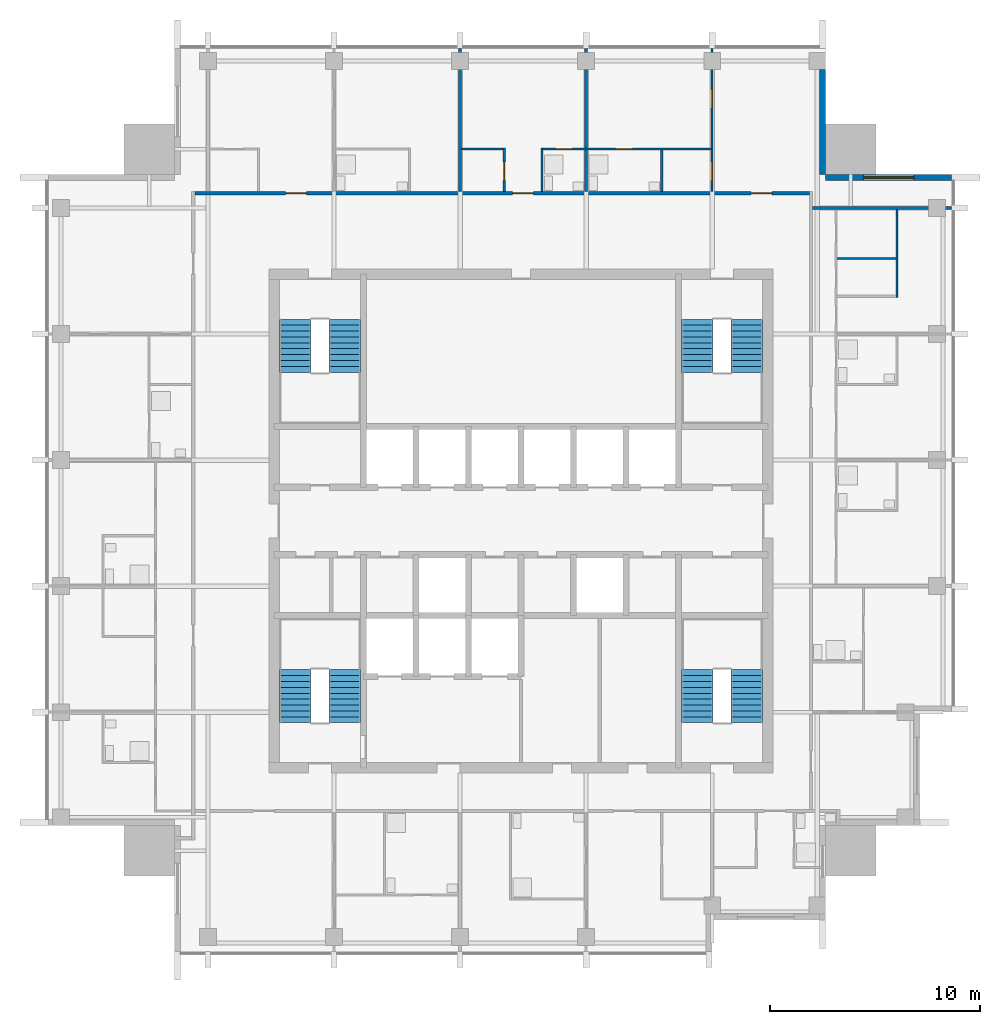
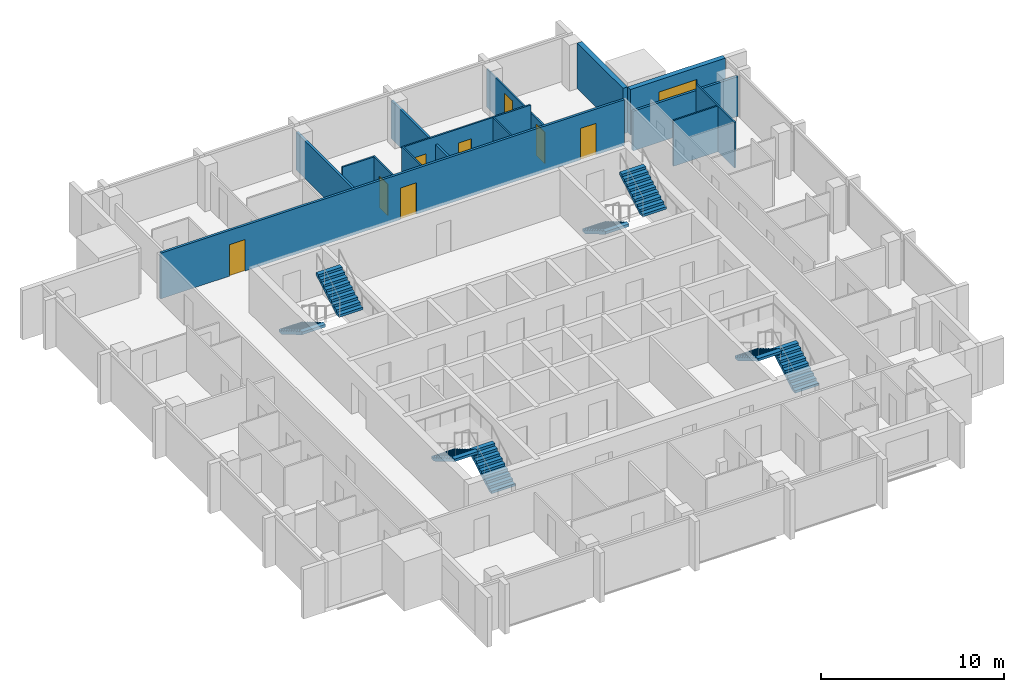
# One storey, part 7 of 9: 14 walls, 8 doors, 8 stair flights, 1 window, 9 openings, 4 elements without a shape of their own.
"""IFC4 building model written with IfcOpenShell, lengths in metres."""

from ifc_helpers import new_model, si_unit, direction, frame, frame_2d, origin, place, context, subcontext, project, spatial, polyline, rectangle, outline, extrude, material, layer, layer_set, type_object, element, fill, aggregate, save


model = new_model("IFC4")

# Units and contexts
model_context = context("Model", 3, precision=1e-05, world=origin(), true_north=direction((0.0, 1.0)))
body_context = subcontext(model_context, "Body", "Model", "MODEL_VIEW")
ifc_project = project(units=[si_unit("LENGTHUNIT", "METRE"), si_unit("AREAUNIT", "SQUARE_METRE"), si_unit("VOLUMEUNIT", "CUBIC_METRE"), si_unit("PLANEANGLEUNIT", "RADIAN"), si_unit("MASSUNIT", "GRAM", prefix="KILO")], contexts=[model_context])

# Site, building, storey
site_placement = place(None, origin())
site = spatial("IfcSite", under=ifc_project, at=site_placement, CompositionType="ELEMENT")
building_placement = place(site_placement, origin())
building = spatial("IfcBuilding", under=site, at=building_placement, Name="Amberfall Residences", CompositionType="ELEMENT")
storey_placement = place(building_placement, frame((0.0, 0.0, 265.300048828125)))
storey = spatial("IfcBuildingStorey", under=building, at=storey_placement, Name="L71", CompositionType="ELEMENT", Elevation=265.300048828125)

# Wall, opening, window
ifc_material_1 = material(Name="Pale stone cladding on insulated backing", Category="masonry")
ifc_layer_1 = layer(ifc_material_1, 0.300048828125)
ifc_layer_set_1 = layer_set([ifc_layer_1], Name="Bronze clad wall 300")
wall_type_1 = type_object("IfcWallType", Name="Bronze clad wall 300", PredefinedType="SOLIDWALL", material=ifc_layer_set_1)
wall_1_placement = place(storey_placement, frame((95.0, 61.85009765625, 0.0), z_axis=(0.0, 0.0, 1.0), x_axis=(-1.0, 0.0, 0.0)))
wall_1 = element("IfcWall", 1, at=wall_1_placement, inside=storey, type_object=wall_type_1, Name="External wall L71 NE", PredefinedType="SOLIDWALL", context=body_context, shape_type="SweptSolid", body=[
    extrude(rectangle(XDim=6.0, YDim=0.300048828125, at=frame_2d((3.0, 0.0))), origin(), (0.0, 0.0, 1.0), 3.050048828125),
])
opening_1_placement = place(wall_1_placement, frame((1.800048828125, 0.0, 0.14990234375)))
opening_1 = element("IfcOpeningElement", 2, at=opening_1_placement, cuts=wall_1, Name="Opening WN5", PredefinedType="OPENING", context=body_context, shape_type="SweptSolid", body=[
    extrude(rectangle(XDim=2.39990234375, YDim=2.10009765625, at=frame_2d((1.199951171875, 1.050048828125))), frame((0.0, 0.159912109375, 0.0), z_axis=(0.0, -1.0, 0.0), x_axis=(1.0, 0.0, 0.0)), (0.0, 0.0, 1.0), 0.320068359375),
])
ifc_material_2 = material(Name="Bronze aluminium framed glazing", Category="aluminium")
window_type = type_object("IfcWindowType", Name="Glazed opening 2400 x 2100 bronze", PartitioningType="DOUBLE_PANEL_VERTICAL", PredefinedType="WINDOW", material=ifc_material_2)
window_placement = place(opening_1_placement, origin())
window = element("IfcWindow", 3, at=window_placement, inside=storey, type_object=window_type, Name="Window L71 NE", OverallHeight=2.10009765625, OverallWidth=2.39990234375, PartitioningType="DOUBLE_PANEL_VERTICAL", PredefinedType="WINDOW", context=body_context, shape_type="SweptSolid", body=[
    extrude(rectangle(XDim=2.39990234375, YDim=2.10009765625, at=frame_2d((1.199951171875, 1.050048828125))), frame((0.0, 0.030029296875, 0.0), z_axis=(0.0, -1.0, 0.0), x_axis=(1.0, 0.0, 0.0)), (0.0, 0.0, 1.0), 0.06005859375),
])
fill(opening_1, window)

# Wall
wall_2_placement = place(storey_placement, frame((88.85009765625, 62.0, 0.0), z_axis=(0.0, 0.0, 1.0), x_axis=(0.0, 1.0, 0.0)))
element("IfcWall", 4, at=wall_2_placement, inside=storey, type_object=wall_type_1, Name="External wall L71 NE", PredefinedType="SOLIDWALL", context=body_context, shape_type="SweptSolid", body=[
    extrude(rectangle(XDim=5.0, YDim=0.300048828125, at=frame_2d((2.5, 0.0))), origin(), (0.0, 0.0, 1.0), 3.050048828125),
])

# Wall, opening, door
ifc_material_3 = material(Name="Gypsum board on metal stud")
ifc_layer_2 = layer(ifc_material_3, 0.10009765625)
ifc_layer_set_2 = layer_set([ifc_layer_2], Name="Flat partition 100")
wall_type_2 = type_object("IfcWallType", Name="Flat partition 100", PredefinedType="PARTITIONING", material=ifc_layer_set_2)
wall_3_placement = place(storey_placement, frame((73.699951171875, 61.175048828125, 0.0), z_axis=(0.0, 0.0, 1.0), x_axis=(0.0, 1.0, 0.0)))
wall_3 = element("IfcWall", 5, at=wall_3_placement, inside=storey, type_object=wall_type_2, Name="Partition 010", PredefinedType="PARTITIONING", context=body_context, shape_type="SweptSolid", body=[
    extrude(rectangle(XDim=2.074951171875, YDim=0.10009765625, at=frame_2d((1.03759765625, 0.0))), origin(), (0.0, 0.0, 1.0), 3.050048828125),
])
opening_2_placement = place(wall_3_placement, frame((0.52490234375, 0.0, 0.0)))
opening_2 = element("IfcOpeningElement", 6, at=opening_2_placement, cuts=wall_3, Name="Opening D41", PredefinedType="OPENING", context=body_context, shape_type="SweptSolid", body=[
    extrude(rectangle(XDim=0.89990234375, YDim=2.10009765625, at=frame_2d((0.449951171875, 1.050048828125))), frame((0.0, 0.06005859375, 0.0), z_axis=(0.0, -1.0, 0.0), x_axis=(1.0, 0.0, 0.0)), (0.0, 0.0, 1.0), 0.1201171875),
])
ifc_material_4 = material(Name="Timber", Category="wood")
door_type_1 = type_object("IfcDoorType", Name="Internal door 900 x 2100", OperationType="SINGLE_SWING_LEFT", PredefinedType="DOOR", material=ifc_material_4)
door_1_placement = place(opening_2_placement, origin())
door_1 = element("IfcDoor", 7, at=door_1_placement, inside=storey, type_object=door_type_1, Name="Door 7107 kitchen", OperationType="SINGLE_SWING_LEFT", OverallHeight=2.10009765625, OverallWidth=0.89990234375, PredefinedType="DOOR", context=body_context, shape_type="SweptSolid", body=[
    extrude(rectangle(XDim=0.89990234375, YDim=2.10009765625, at=frame_2d((0.449951171875, 1.050048828125))), frame((0.0, 0.02490234375, 0.0), z_axis=(0.0, -1.0, 0.0), x_axis=(1.0, 0.0, 0.0)), (0.0, 0.0, 1.0), 0.050048828125),
])
fill(opening_2, door_1)

# Walls
wall_4_placement = place(storey_placement, frame((75.5, 61.175048828125, 0.0), z_axis=(0.0, 0.0, 1.0), x_axis=(0.0, 1.0, 0.0)))
element("IfcWall", 8, at=wall_4_placement, inside=storey, type_object=wall_type_2, Name="Partition 012", PredefinedType="PARTITIONING", context=body_context, shape_type="SweptSolid", body=[
    extrude(rectangle(XDim=2.074951171875, YDim=0.10009765625, at=frame_2d((1.03759765625, 0.0))), origin(), (0.0, 0.0, 1.0), 3.050048828125),
])
wall_5_placement = place(storey_placement, frame((81.199951171875, 61.175048828125, 0.0), z_axis=(0.0, 0.0, 1.0), x_axis=(0.0, 1.0, 0.0)))
element("IfcWall", 9, at=wall_5_placement, inside=storey, type_object=wall_type_2, Name="Partition 015", PredefinedType="PARTITIONING", context=body_context, shape_type="SweptSolid", body=[
    extrude(rectangle(XDim=1.974853515625, YDim=0.10009765625, at=frame_2d((0.9873046875, 0.0))), origin(), (0.0, 0.0, 1.0), 3.050048828125),
])

# Wall, openings, doors
wall_6_placement = place(storey_placement, frame((83.60009765625, 61.175048828125, 0.0), z_axis=(0.0, 0.0, 1.0), x_axis=(0.0, 1.0, 0.0)))
wall_6 = element("IfcWall", 10, at=wall_6_placement, inside=storey, type_object=wall_type_2, Name="Partition 016", PredefinedType="PARTITIONING", context=body_context, shape_type="SweptSolid", body=[
    extrude(rectangle(XDim=6.824951171875, YDim=0.10009765625, at=frame_2d((3.41259765625, 0.0))), origin(), (0.0, 0.0, 1.0), 2.515869140625),
])
opening_3_placement = place(wall_6_placement, frame((0.52490234375, 0.0, 0.0)))
opening_3 = element("IfcOpeningElement", 11, at=opening_3_placement, cuts=wall_6, Name="Opening D41", PredefinedType="OPENING", context=body_context, shape_type="SweptSolid", body=[
    extrude(rectangle(XDim=0.89990234375, YDim=2.10009765625, at=frame_2d((0.449951171875, 1.050048828125))), frame((0.0, 0.06005859375, 0.0), z_axis=(0.0, -1.0, 0.0), x_axis=(1.0, 0.0, 0.0)), (0.0, 0.0, 1.0), 0.1201171875),
])
opening_4_placement = place(wall_6_placement, frame((3.97509765625, 0.0, 0.0)))
opening_4 = element("IfcOpeningElement", 12, at=opening_4_placement, cuts=wall_6, Name="Opening D41", PredefinedType="OPENING", context=body_context, shape_type="SweptSolid", body=[
    extrude(rectangle(XDim=0.89990234375, YDim=2.10009765625, at=frame_2d((0.449951171875, 1.050048828125))), frame((0.0, 0.06005859375, 0.0), z_axis=(0.0, -1.0, 0.0), x_axis=(1.0, 0.0, 0.0)), (0.0, 0.0, 1.0), 0.1201171875),
])
door_2_placement = place(opening_3_placement, origin())
door_2 = element("IfcDoor", 13, at=door_2_placement, inside=storey, type_object=door_type_1, Name="Door 7108 kitchen", OperationType="SINGLE_SWING_LEFT", OverallHeight=2.10009765625, OverallWidth=0.89990234375, PredefinedType="DOOR", context=body_context, shape_type="SweptSolid", body=[
    extrude(rectangle(XDim=0.89990234375, YDim=2.10009765625, at=frame_2d((0.449951171875, 1.050048828125))), frame((0.0, 0.02490234375, 0.0), z_axis=(0.0, -1.0, 0.0), x_axis=(1.0, 0.0, 0.0)), (0.0, 0.0, 1.0), 0.050048828125),
])
fill(opening_3, door_2)
door_3_placement = place(opening_4_placement, origin())
door_3 = element("IfcDoor", 14, at=door_3_placement, inside=storey, type_object=door_type_1, Name="Door 7108 bedroom1", OperationType="SINGLE_SWING_LEFT", OverallHeight=2.10009765625, OverallWidth=0.89990234375, PredefinedType="DOOR", context=body_context, shape_type="SweptSolid", body=[
    extrude(rectangle(XDim=0.89990234375, YDim=2.10009765625, at=frame_2d((0.449951171875, 1.050048828125))), frame((0.0, 0.02490234375, 0.0), z_axis=(0.0, -1.0, 0.0), x_axis=(1.0, 0.0, 0.0)), (0.0, 0.0, 1.0), 0.050048828125),
])
fill(opening_4, door_3)

# Walls
wall_7_placement = place(storey_placement, frame((92.39990234375, 56.14990234375, 0.0), z_axis=(0.0, 0.0, 1.0), x_axis=(0.0, 1.0, 0.0)))
element("IfcWall", 15, at=wall_7_placement, inside=storey, type_object=wall_type_2, Name="Partition 023", PredefinedType="PARTITIONING", context=body_context, shape_type="SweptSolid", body=[
    extrude(rectangle(XDim=4.175048828125, YDim=0.10009765625, at=frame_2d((2.08740234375, 0.0))), origin(), (0.0, 0.0, 1.0), 3.050048828125),
])
wall_8_placement = place(storey_placement, frame((71.675048828125, 63.199951171875, 0.0), z_axis=(0.0, 0.0, 1.0), x_axis=(1.0, 0.0, 0.0)))
element("IfcWall", 16, at=wall_8_placement, inside=storey, type_object=wall_type_2, Name="Partition 026", PredefinedType="PARTITIONING", context=body_context, shape_type="SweptSolid", body=[
    extrude(rectangle(XDim=1.974853515625, YDim=0.10009765625, at=frame_2d((0.9873046875, 0.0))), origin(), (0.0, 0.0, 1.0), 3.050048828125),
])

# Wall, openings, doors
wall_9_placement = place(storey_placement, frame((83.550048828125, 63.199951171875, 0.0), z_axis=(0.0, 0.0, 1.0), x_axis=(-1.0, 0.0, 0.0)))
wall_9 = element("IfcWall", 17, at=wall_9_placement, inside=storey, type_object=wall_type_2, Name="Partition 027", PredefinedType="PARTITIONING", context=body_context, shape_type="SweptSolid", body=[
    extrude(rectangle(XDim=8.0, YDim=0.10009765625, at=frame_2d((4.0, 0.0))), origin(), (0.0, 0.0, 1.0), 3.050048828125),
])
opening_5_placement = place(wall_9_placement, frame((6.60009765625, 0.0, 0.0)))
opening_5 = element("IfcOpeningElement", 18, at=opening_5_placement, cuts=wall_9, Name="Opening D42", PredefinedType="OPENING", context=body_context, shape_type="SweptSolid", body=[
    extrude(rectangle(XDim=0.800048828125, YDim=2.10009765625, at=frame_2d((0.39990234375, 1.050048828125))), frame((0.0, 0.06005859375, 0.0), z_axis=(0.0, -1.0, 0.0), x_axis=(1.0, 0.0, 0.0)), (0.0, 0.0, 1.0), 0.1201171875),
])
opening_6_placement = place(wall_9_placement, frame((3.75, 0.0, 0.0)))
opening_6 = element("IfcOpeningElement", 19, at=opening_6_placement, cuts=wall_9, Name="Opening D42", PredefinedType="OPENING", context=body_context, shape_type="SweptSolid", body=[
    extrude(rectangle(XDim=0.800048828125, YDim=2.10009765625, at=frame_2d((0.39990234375, 1.050048828125))), frame((0.0, 0.06005859375, 0.0), z_axis=(0.0, -1.0, 0.0), x_axis=(1.0, 0.0, 0.0)), (0.0, 0.0, 1.0), 0.1201171875),
])
door_type_2 = type_object("IfcDoorType", Name="Bathroom door 800 x 2100", OperationType="SINGLE_SWING_LEFT", PredefinedType="DOOR", material=ifc_material_4)
door_4_placement = place(opening_5_placement, origin())
door_4 = element("IfcDoor", 20, at=door_4_placement, inside=storey, type_object=door_type_2, Name="Door 7107 bath1", OperationType="SINGLE_SWING_LEFT", OverallHeight=2.10009765625, OverallWidth=0.800048828125, PredefinedType="DOOR", context=body_context, shape_type="SweptSolid", body=[
    extrude(rectangle(XDim=0.800048828125, YDim=2.10009765625, at=frame_2d((0.39990234375, 1.050048828125))), frame((0.0, 0.02490234375, 0.0), z_axis=(0.0, -1.0, 0.0), x_axis=(1.0, 0.0, 0.0)), (0.0, 0.0, 1.0), 0.050048828125),
])
fill(opening_5, door_4)
door_5_placement = place(opening_6_placement, origin())
door_5 = element("IfcDoor", 21, at=door_5_placement, inside=storey, type_object=door_type_2, Name="Door 7108 bath1", OperationType="SINGLE_SWING_LEFT", OverallHeight=2.10009765625, OverallWidth=0.800048828125, PredefinedType="DOOR", context=body_context, shape_type="SweptSolid", body=[
    extrude(rectangle(XDim=0.800048828125, YDim=2.10009765625, at=frame_2d((0.39990234375, 1.050048828125))), frame((0.0, 0.02490234375, 0.0), z_axis=(0.0, -1.0, 0.0), x_axis=(1.0, 0.0, 0.0)), (0.0, 0.0, 1.0), 0.050048828125),
])
fill(opening_6, door_5)

# Walls
wall_10_placement = place(storey_placement, frame((89.550048828125, 58.0, 0.0), z_axis=(0.0, 0.0, 1.0), x_axis=(1.0, 0.0, 0.0)))
element("IfcWall", 22, at=wall_10_placement, inside=storey, type_object=wall_type_2, Name="Partition 028", PredefinedType="PARTITIONING", context=body_context, shape_type="SweptSolid", body=[
    extrude(rectangle(XDim=2.800048828125, YDim=0.10009765625, at=frame_2d((1.39990234375, 0.0))), origin(), (0.0, 0.0, 1.0), 3.050048828125),
])
ifc_material_5 = material(Name="Blockwork, plastered", Category="masonry")
ifc_layer_3 = layer(ifc_material_5, 0.14990234375)
ifc_layer_set_3 = layer_set([ifc_layer_3], Name="Flat separating wall 150")
wall_type_3 = type_object("IfcWallType", Name="Flat separating wall 150", PredefinedType="PARTITIONING", material=ifc_layer_set_3)
for number, where, z_axis, x_axis, name in (
    (23, (71.60009765625, 61.175048828125, 0.0), (0.0, 0.0, 1.0), (0.0, 1.0, 0.0), "Separating wall 052"),
    (24, (77.60009765625, 61.175048828125, 0.0), (0.0, 0.0, 1.0), (0.0, 1.0, 0.0), "Separating wall 053"),
):
    element("IfcWall", number, at=place(storey_placement, frame(where, z_axis=z_axis, x_axis=x_axis)), inside=storey, type_object=wall_type_3, Name=name, PredefinedType="PARTITIONING", context=body_context, shape_type="SweptSolid", body=[
        extrude(rectangle(XDim=6.824951171875, YDim=0.14990234375, at=frame_2d((3.41259765625, 0.0))), origin(), (0.0, 0.0, 1.0), 2.515869140625),
    ])

# Wall, openings, doors
wall_11_placement = place(storey_placement, frame((58.97509765625, 61.10009765625, 0.0), z_axis=(0.0, 0.0, 1.0), x_axis=(1.0, 0.0, 0.0)))
wall_11 = element("IfcWall", 25, at=wall_11_placement, inside=storey, type_object=wall_type_3, Name="Separating wall 057", PredefinedType="PARTITIONING", context=body_context, shape_type="SweptSolid", body=[
    extrude(rectangle(XDim=29.25, YDim=0.14990234375, at=frame_2d((14.625, 0.0))), origin(), (0.0, 0.0, 1.0), 3.050048828125),
])
opening_7_placement = place(wall_11_placement, frame((4.324951171875, 0.0, 0.0)))
opening_7 = element("IfcOpeningElement", 26, at=opening_7_placement, cuts=wall_11, Name="Opening D40", PredefinedType="OPENING", context=body_context, shape_type="SweptSolid", body=[
    extrude(rectangle(XDim=1.0, YDim=2.10009765625, at=frame_2d((0.5, 1.050048828125))), frame((0.0, 0.0849609375, 0.0), z_axis=(0.0, -1.0, 0.0), x_axis=(1.0, 0.0, 0.0)), (0.0, 0.0, 1.0), 0.169921875),
])
opening_8_placement = place(wall_11_placement, frame((15.125, 0.0, 0.0)))
opening_8 = element("IfcOpeningElement", 27, at=opening_8_placement, cuts=wall_11, Name="Opening D40", PredefinedType="OPENING", context=body_context, shape_type="SweptSolid", body=[
    extrude(rectangle(XDim=1.0, YDim=2.10009765625, at=frame_2d((0.5, 1.050048828125))), frame((0.0, 0.0849609375, 0.0), z_axis=(0.0, -1.0, 0.0), x_axis=(1.0, 0.0, 0.0)), (0.0, 0.0, 1.0), 0.169921875),
])
opening_9_placement = place(wall_11_placement, frame((26.47509765625, 0.0, 0.0)))
opening_9 = element("IfcOpeningElement", 28, at=opening_9_placement, cuts=wall_11, Name="Opening D40", PredefinedType="OPENING", context=body_context, shape_type="SweptSolid", body=[
    extrude(rectangle(XDim=1.0, YDim=2.10009765625, at=frame_2d((0.5, 1.050048828125))), frame((0.0, 0.0849609375, 0.0), z_axis=(0.0, -1.0, 0.0), x_axis=(1.0, 0.0, 0.0)), (0.0, 0.0, 1.0), 0.169921875),
])
ifc_material_6 = material(Name="Timber, fire-rated", Category="wood")
door_type_3 = type_object("IfcDoorType", Name="Flat entrance door FD60 1000 x 2100", OperationType="SINGLE_SWING_LEFT", PredefinedType="DOOR", material=ifc_material_6)
door_6_placement = place(opening_7_placement, origin())
door_6 = element("IfcDoor", 29, at=door_6_placement, inside=storey, type_object=door_type_3, Name="Door 7106 entrance", OperationType="SINGLE_SWING_LEFT", OverallHeight=2.10009765625, OverallWidth=1.0, PredefinedType="DOOR", context=body_context, shape_type="SweptSolid", body=[
    extrude(rectangle(XDim=1.0, YDim=2.10009765625, at=frame_2d((0.5, 1.050048828125))), frame((0.0, 0.02490234375, 0.0), z_axis=(0.0, -1.0, 0.0), x_axis=(1.0, 0.0, 0.0)), (0.0, 0.0, 1.0), 0.050048828125),
])
fill(opening_7, door_6)
door_7_placement = place(opening_8_placement, origin())
door_7 = element("IfcDoor", 30, at=door_7_placement, inside=storey, type_object=door_type_3, Name="Door 7107 entrance", OperationType="SINGLE_SWING_LEFT", OverallHeight=2.10009765625, OverallWidth=1.0, PredefinedType="DOOR", context=body_context, shape_type="SweptSolid", body=[
    extrude(rectangle(XDim=1.0, YDim=2.10009765625, at=frame_2d((0.5, 1.050048828125))), frame((0.0, 0.02490234375, 0.0), z_axis=(0.0, -1.0, 0.0), x_axis=(1.0, 0.0, 0.0)), (0.0, 0.0, 1.0), 0.050048828125),
])
fill(opening_8, door_7)
door_8_placement = place(opening_9_placement, origin())
door_8 = element("IfcDoor", 31, at=door_8_placement, inside=storey, type_object=door_type_3, Name="Door 7108 entrance", OperationType="SINGLE_SWING_LEFT", OverallHeight=2.10009765625, OverallWidth=1.0, PredefinedType="DOOR", context=body_context, shape_type="SweptSolid", body=[
    extrude(rectangle(XDim=1.0, YDim=2.10009765625, at=frame_2d((0.5, 1.050048828125))), frame((0.0, 0.02490234375, 0.0), z_axis=(0.0, -1.0, 0.0), x_axis=(1.0, 0.0, 0.0)), (0.0, 0.0, 1.0), 0.050048828125),
])
fill(opening_9, door_8)

# Wall
wall_12_placement = place(storey_placement, frame((88.375, 60.39990234375, 0.0), z_axis=(0.0, 0.0, 1.0), x_axis=(1.0, 0.0, 0.0)))
element("IfcWall", 32, at=wall_12_placement, inside=storey, type_object=wall_type_3, Name="Separating wall 058", PredefinedType="PARTITIONING", context=body_context, shape_type="SweptSolid", body=[
    extrude(rectangle(XDim=6.625, YDim=0.14990234375, at=frame_2d((3.3125, 0.0))), origin(), (0.0, 0.0, 1.0), 2.64697265625),
])

# Stair, stair flights
ifc_material_7 = material(Name="Concrete C40", Category="concrete")
stair_type = type_object("IfcStairType", Name="Exit stair 20 risers 165.0 mm", PredefinedType="HALF_TURN_STAIR", material=ifc_material_7)
stair_1_placement = place(storey_placement, origin())
stair_1 = element("IfcStair", 33, at=stair_1_placement, inside=storey, type_object=stair_type, Name="L71 Exit stair 1", PredefinedType="HALF_TURN_STAIR")
stair_flight_type = type_object("IfcStairFlightType", Name="Stair flight 10 risers 165.0 mm", PredefinedType="STRAIGHT", material=ifc_material_7)
stair_flight_1_placement = place(storey_placement, frame((66.10009765625, 35.89990234375, 0.0), z_axis=(0.0, 0.0, 1.0), x_axis=(0.0, 1.0, 0.0)))
stair_flight_1 = element("IfcStairFlight", 34, at=stair_flight_1_placement, type_object=stair_flight_type, Name="ST3 flight 1", NumberOfRisers=10, NumberOfTreads=9, PredefinedType="STRAIGHT", RiserHeight=0.165, TreadLength=0.28, context=body_context, shape_type="SweptSolid", body=[
    extrude(outline(polyline([(0.0, 0.0), (0.0, 0.1650390625), (0.280029296875, 0.1650390625), (0.280029296875, 0.330078125), (0.56005859375, 0.330078125), (0.56005859375, 0.4951171875), (0.840087890625, 0.4951171875), (0.840087890625, 0.659912109375), (1.1201171875, 0.659912109375), (1.1201171875, 0.824951171875), (1.39990234375, 0.824951171875), (1.39990234375, 0.989990234375), (1.679931640625, 0.989990234375), (1.679931640625, 1.155029296875), (1.9599609375, 1.155029296875), (1.9599609375, 1.320068359375), (2.239990234375, 1.320068359375), (2.239990234375, 1.485107421875), (2.52001953125, 1.485107421875), (2.52001953125, 1.64990234375), (2.52001953125, 1.31103515625), (0.295166015625, 0.0), (0.0, 0.0)])), frame((0.0, 0.75, 0.0), z_axis=(0.0, -1.0, 0.0), x_axis=(1.0, 0.0, 0.0)), (0.0, 0.0, 1.0), 1.5),
])
stair_flight_2_placement = place(storey_placement, frame((63.75, 38.419921875, 1.64990234375), z_axis=(0.0, 0.0, 1.0), x_axis=(0.0, -1.0, 0.0)))
stair_flight_2 = element("IfcStairFlight", 35, at=stair_flight_2_placement, type_object=stair_flight_type, Name="ST3 flight 2", NumberOfRisers=10, NumberOfTreads=9, PredefinedType="STRAIGHT", RiserHeight=0.165, TreadLength=0.28, context=body_context, shape_type="SweptSolid", body=[
    extrude(outline(polyline([(0.0, 0.0), (0.0, 0.1650390625), (0.280029296875, 0.1650390625), (0.280029296875, 0.330078125), (0.56005859375, 0.330078125), (0.56005859375, 0.4951171875), (0.840087890625, 0.4951171875), (0.840087890625, 0.659912109375), (1.1201171875, 0.659912109375), (1.1201171875, 0.824951171875), (1.39990234375, 0.824951171875), (1.39990234375, 0.989990234375), (1.679931640625, 0.989990234375), (1.679931640625, 1.155029296875), (1.9599609375, 1.155029296875), (1.9599609375, 1.320068359375), (2.239990234375, 1.320068359375), (2.239990234375, 1.485107421875), (2.52001953125, 1.485107421875), (2.52001953125, 1.64990234375), (2.52001953125, 1.31103515625), (0.295166015625, 0.0), (0.0, 0.0)])), frame((0.0, 0.75, 0.0), z_axis=(0.0, -1.0, 0.0), x_axis=(1.0, 0.0, 0.0)), (0.0, 0.0, 1.0), 1.5),
])
aggregate(stair_1, [stair_flight_1, stair_flight_2])

stair_2_placement = place(storey_placement, origin())
stair_2 = element("IfcStair", 36, at=stair_2_placement, inside=storey, type_object=stair_type, Name="L71 Exit stair 2", PredefinedType="HALF_TURN_STAIR")
stair_flight_3_placement = place(storey_placement, frame((85.25, 35.89990234375, 0.0), z_axis=(0.0, 0.0, 1.0), x_axis=(0.0, 1.0, 0.0)))
stair_flight_3 = element("IfcStairFlight", 37, at=stair_flight_3_placement, type_object=stair_flight_type, Name="ST3 flight 1", NumberOfRisers=10, NumberOfTreads=9, PredefinedType="STRAIGHT", RiserHeight=0.165, TreadLength=0.28, context=body_context, shape_type="SweptSolid", body=[
    extrude(outline(polyline([(0.0, 0.0), (0.0, 0.1650390625), (0.280029296875, 0.1650390625), (0.280029296875, 0.330078125), (0.56005859375, 0.330078125), (0.56005859375, 0.4951171875), (0.840087890625, 0.4951171875), (0.840087890625, 0.659912109375), (1.1201171875, 0.659912109375), (1.1201171875, 0.824951171875), (1.39990234375, 0.824951171875), (1.39990234375, 0.989990234375), (1.679931640625, 0.989990234375), (1.679931640625, 1.155029296875), (1.9599609375, 1.155029296875), (1.9599609375, 1.320068359375), (2.239990234375, 1.320068359375), (2.239990234375, 1.485107421875), (2.52001953125, 1.485107421875), (2.52001953125, 1.64990234375), (2.52001953125, 1.31103515625), (0.295166015625, 0.0), (0.0, 0.0)])), frame((0.0, 0.75, 0.0), z_axis=(0.0, -1.0, 0.0), x_axis=(1.0, 0.0, 0.0)), (0.0, 0.0, 1.0), 1.5),
])
stair_flight_4_placement = place(storey_placement, frame((82.89990234375, 38.419921875, 1.64990234375), z_axis=(0.0, 0.0, 1.0), x_axis=(0.0, -1.0, 0.0)))
stair_flight_4 = element("IfcStairFlight", 38, at=stair_flight_4_placement, type_object=stair_flight_type, Name="ST3 flight 2", NumberOfRisers=10, NumberOfTreads=9, PredefinedType="STRAIGHT", RiserHeight=0.165, TreadLength=0.28, context=body_context, shape_type="SweptSolid", body=[
    extrude(outline(polyline([(0.0, 0.0), (0.0, 0.1650390625), (0.280029296875, 0.1650390625), (0.280029296875, 0.330078125), (0.56005859375, 0.330078125), (0.56005859375, 0.4951171875), (0.840087890625, 0.4951171875), (0.840087890625, 0.659912109375), (1.1201171875, 0.659912109375), (1.1201171875, 0.824951171875), (1.39990234375, 0.824951171875), (1.39990234375, 0.989990234375), (1.679931640625, 0.989990234375), (1.679931640625, 1.155029296875), (1.9599609375, 1.155029296875), (1.9599609375, 1.320068359375), (2.239990234375, 1.320068359375), (2.239990234375, 1.485107421875), (2.52001953125, 1.485107421875), (2.52001953125, 1.64990234375), (2.52001953125, 1.31103515625), (0.295166015625, 0.0), (0.0, 0.0)])), frame((0.0, 0.75, 0.0), z_axis=(0.0, -1.0, 0.0), x_axis=(1.0, 0.0, 0.0)), (0.0, 0.0, 1.0), 1.5),
])
aggregate(stair_2, [stair_flight_3, stair_flight_4])

stair_3_placement = place(storey_placement, origin())
stair_3 = element("IfcStair", 39, at=stair_3_placement, inside=storey, type_object=stair_type, Name="L71 Exit stair 3", PredefinedType="HALF_TURN_STAIR")
stair_flight_5_placement = place(storey_placement, frame((82.89990234375, 55.10009765625, 0.0), z_axis=(0.0, 0.0, 1.0), x_axis=(0.0, -1.0, 0.0)))
stair_flight_5 = element("IfcStairFlight", 40, at=stair_flight_5_placement, type_object=stair_flight_type, Name="ST3 flight 1", NumberOfRisers=10, NumberOfTreads=9, PredefinedType="STRAIGHT", RiserHeight=0.165, TreadLength=0.28, context=body_context, shape_type="SweptSolid", body=[
    extrude(outline(polyline([(0.0, 0.0), (0.0, 0.1650390625), (0.280029296875, 0.1650390625), (0.280029296875, 0.330078125), (0.56005859375, 0.330078125), (0.56005859375, 0.4951171875), (0.840087890625, 0.4951171875), (0.840087890625, 0.659912109375), (1.1201171875, 0.659912109375), (1.1201171875, 0.824951171875), (1.39990234375, 0.824951171875), (1.39990234375, 0.989990234375), (1.679931640625, 0.989990234375), (1.679931640625, 1.155029296875), (1.9599609375, 1.155029296875), (1.9599609375, 1.320068359375), (2.239990234375, 1.320068359375), (2.239990234375, 1.485107421875), (2.52001953125, 1.485107421875), (2.52001953125, 1.64990234375), (2.52001953125, 1.31103515625), (0.295166015625, 0.0), (0.0, 0.0)])), frame((0.0, 0.75, 0.0), z_axis=(0.0, -1.0, 0.0), x_axis=(1.0, 0.0, 0.0)), (0.0, 0.0, 1.0), 1.5),
])
stair_flight_6_placement = place(storey_placement, frame((85.25, 52.580078125, 1.64990234375), z_axis=(0.0, 0.0, 1.0), x_axis=(0.0, 1.0, 0.0)))
stair_flight_6 = element("IfcStairFlight", 41, at=stair_flight_6_placement, type_object=stair_flight_type, Name="ST3 flight 2", NumberOfRisers=10, NumberOfTreads=9, PredefinedType="STRAIGHT", RiserHeight=0.165, TreadLength=0.28, context=body_context, shape_type="SweptSolid", body=[
    extrude(outline(polyline([(0.0, 0.0), (0.0, 0.1650390625), (0.280029296875, 0.1650390625), (0.280029296875, 0.330078125), (0.56005859375, 0.330078125), (0.56005859375, 0.4951171875), (0.840087890625, 0.4951171875), (0.840087890625, 0.659912109375), (1.1201171875, 0.659912109375), (1.1201171875, 0.824951171875), (1.39990234375, 0.824951171875), (1.39990234375, 0.989990234375), (1.679931640625, 0.989990234375), (1.679931640625, 1.155029296875), (1.9599609375, 1.155029296875), (1.9599609375, 1.320068359375), (2.239990234375, 1.320068359375), (2.239990234375, 1.485107421875), (2.52001953125, 1.485107421875), (2.52001953125, 1.64990234375), (2.52001953125, 1.31103515625), (0.295166015625, 0.0), (0.0, 0.0)])), frame((0.0, 0.75, 0.0), z_axis=(0.0, -1.0, 0.0), x_axis=(1.0, 0.0, 0.0)), (0.0, 0.0, 1.0), 1.5),
])
aggregate(stair_3, [stair_flight_5, stair_flight_6])

stair_4_placement = place(storey_placement, origin())
stair_4 = element("IfcStair", 42, at=stair_4_placement, inside=storey, type_object=stair_type, Name="L71 Exit stair 4", PredefinedType="HALF_TURN_STAIR")
stair_flight_7_placement = place(storey_placement, frame((63.75, 55.10009765625, 0.0), z_axis=(0.0, 0.0, 1.0), x_axis=(0.0, -1.0, 0.0)))
stair_flight_7 = element("IfcStairFlight", 43, at=stair_flight_7_placement, type_object=stair_flight_type, Name="ST3 flight 1", NumberOfRisers=10, NumberOfTreads=9, PredefinedType="STRAIGHT", RiserHeight=0.165, TreadLength=0.28, context=body_context, shape_type="SweptSolid", body=[
    extrude(outline(polyline([(0.0, 0.0), (0.0, 0.1650390625), (0.280029296875, 0.1650390625), (0.280029296875, 0.330078125), (0.56005859375, 0.330078125), (0.56005859375, 0.4951171875), (0.840087890625, 0.4951171875), (0.840087890625, 0.659912109375), (1.1201171875, 0.659912109375), (1.1201171875, 0.824951171875), (1.39990234375, 0.824951171875), (1.39990234375, 0.989990234375), (1.679931640625, 0.989990234375), (1.679931640625, 1.155029296875), (1.9599609375, 1.155029296875), (1.9599609375, 1.320068359375), (2.239990234375, 1.320068359375), (2.239990234375, 1.485107421875), (2.52001953125, 1.485107421875), (2.52001953125, 1.64990234375), (2.52001953125, 1.31103515625), (0.295166015625, 0.0), (0.0, 0.0)])), frame((0.0, 0.75, 0.0), z_axis=(0.0, -1.0, 0.0), x_axis=(1.0, 0.0, 0.0)), (0.0, 0.0, 1.0), 1.5),
])
stair_flight_8_placement = place(storey_placement, frame((66.10009765625, 52.580078125, 1.64990234375), z_axis=(0.0, 0.0, 1.0), x_axis=(0.0, 1.0, 0.0)))
stair_flight_8 = element("IfcStairFlight", 44, at=stair_flight_8_placement, type_object=stair_flight_type, Name="ST3 flight 2", NumberOfRisers=10, NumberOfTreads=9, PredefinedType="STRAIGHT", RiserHeight=0.165, TreadLength=0.28, context=body_context, shape_type="SweptSolid", body=[
    extrude(outline(polyline([(0.0, 0.0), (0.0, 0.1650390625), (0.280029296875, 0.1650390625), (0.280029296875, 0.330078125), (0.56005859375, 0.330078125), (0.56005859375, 0.4951171875), (0.840087890625, 0.4951171875), (0.840087890625, 0.659912109375), (1.1201171875, 0.659912109375), (1.1201171875, 0.824951171875), (1.39990234375, 0.824951171875), (1.39990234375, 0.989990234375), (1.679931640625, 0.989990234375), (1.679931640625, 1.155029296875), (1.9599609375, 1.155029296875), (1.9599609375, 1.320068359375), (2.239990234375, 1.320068359375), (2.239990234375, 1.485107421875), (2.52001953125, 1.485107421875), (2.52001953125, 1.64990234375), (2.52001953125, 1.31103515625), (0.295166015625, 0.0), (0.0, 0.0)])), frame((0.0, 0.75, 0.0), z_axis=(0.0, -1.0, 0.0), x_axis=(1.0, 0.0, 0.0)), (0.0, 0.0, 1.0), 1.5),
])
aggregate(stair_4, [stair_flight_7, stair_flight_8])

save(model, "model.ifc")
